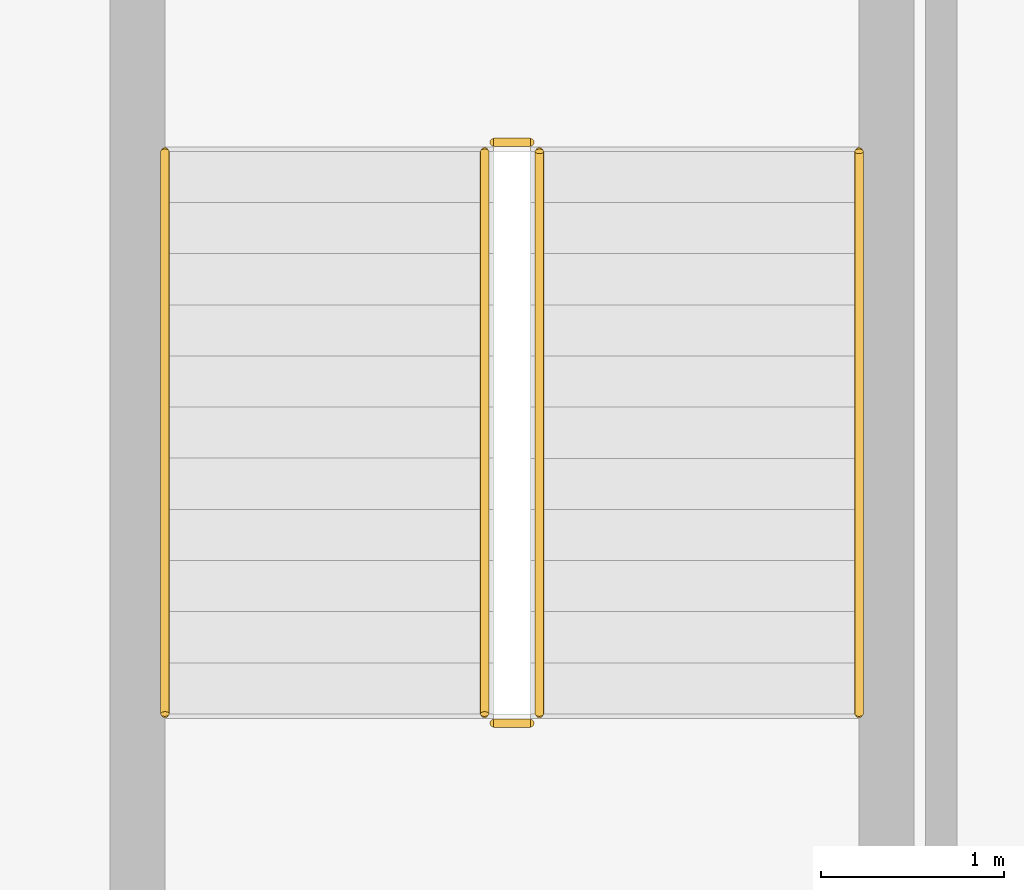
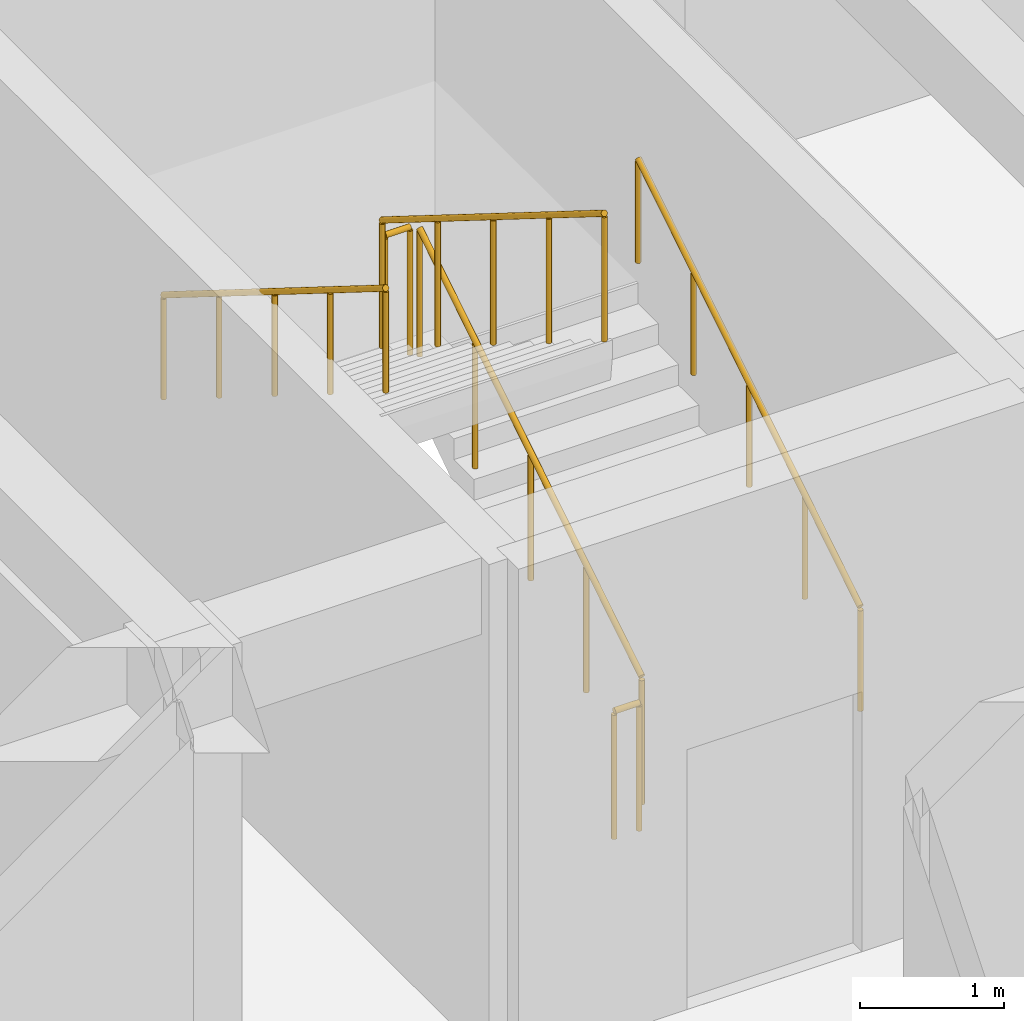
# One storey, part 77 of 77: 6 railings.
"""IFC4 building model written with IfcOpenShell, lengths in metres."""

from ifc_helpers import new_model, si_unit, direction, frame, origin, origin_2d, place, context, subcontext, project, spatial, circle, extrude, material, type_object, element, save


model = new_model("IFC4")

# Units and contexts
model_context = context("Model", 3, precision=1e-05, world=origin(), true_north=direction((0.0, 1.0)))
body_context = subcontext(model_context, "Body", "Model", "MODEL_VIEW")
ifc_project = project(units=[si_unit("LENGTHUNIT", "METRE"), si_unit("AREAUNIT", "SQUARE_METRE"), si_unit("VOLUMEUNIT", "CUBIC_METRE"), si_unit("PLANEANGLEUNIT", "RADIAN"), si_unit("MASSUNIT", "GRAM", prefix="KILO")], contexts=[model_context])

# Site, building, storey
site_placement = place(None, origin())
site = spatial("IfcSite", under=ifc_project, at=site_placement, CompositionType="ELEMENT")
building_placement = place(site_placement, origin())
building = spatial("IfcBuilding", under=site, at=building_placement, Name="Varncliffe General Hospital", CompositionType="ELEMENT")
storey_placement = place(building_placement, frame((0.0, 0.0, 16.199951171875)))
storey = spatial("IfcBuildingStorey", under=building, at=storey_placement, Name="L03", CompositionType="ELEMENT", Elevation=16.199951171875)

# Railings
ifc_material = material(Name="Powder-coated hospital steel guardrail and handrail", Category="steel")
railing_type_1 = type_object("IfcRailingType", Name="Stair and Ramp Handrail HR46", PredefinedType="HANDRAIL", material=ifc_material)
railing_1_placement = place(storey_placement, frame((165.949951171875, 118.0, 0.35400390625)))
element("IfcRailing", 1, at=railing_1_placement, inside=storey, type_object=railing_type_1, Name="L03 ST04 stair handrail 1", PredefinedType="HANDRAIL", context=body_context, shape_type="SweptSolid", body=[
    extrude(circle(Radius=0.02392578125, at=origin_2d()), frame((0.0, 0.0, 0.8759765625), z_axis=(0.0, 0.847998304005, 0.529998940003), x_axis=(-1.0, 0.0, 0.0)), (0.0, 0.0, 1.0), 3.632080078125),
    extrude(circle(Radius=0.02099609375, at=origin_2d()), origin(), (0.0, 0.0, 1.0), 0.851806640625),
    extrude(circle(Radius=0.02099609375, at=origin_2d()), frame((0.0, 0.77001953125, 0.481201171875)), (0.0, 0.0, 1.0), 0.851806640625),
    extrude(circle(Radius=0.02099609375, at=origin_2d()), frame((0.0, 1.5400390625, 0.96240234375)), (0.0, 0.0, 1.0), 0.851806640625),
    extrude(circle(Radius=0.02099609375, at=origin_2d()), frame((0.0, 2.31005859375, 1.44384765625)), (0.0, 0.0, 1.0), 0.851806640625),
    extrude(circle(Radius=0.02099609375, at=origin_2d()), frame((0.0, 3.080078125, 1.925048828125)), (0.0, 0.0, 1.0), 0.851806640625),
])
railing_2_placement = place(storey_placement, frame((162.14990234375, 121.080078125, 2.4541015625)))
element("IfcRailing", 2, at=railing_2_placement, inside=storey, type_object=railing_type_1, Name="L03 ST04 stair handrail 2", PredefinedType="HANDRAIL", context=body_context, shape_type="SweptSolid", body=[
    extrude(circle(Radius=0.02392578125, at=origin_2d()), frame((0.0, 0.0, 0.8759765625), z_axis=(0.0, -0.847998304005, 0.529998940003), x_axis=(1.0, 0.0, 0.0)), (0.0, 0.0, 1.0), 3.632080078125),
    extrude(circle(Radius=0.02099609375, at=origin_2d()), origin(), (0.0, 0.0, 1.0), 0.851806640625),
    extrude(circle(Radius=0.02099609375, at=origin_2d()), frame((0.0, -0.77001953125, 0.481201171875)), (0.0, 0.0, 1.0), 0.851806640625),
    extrude(circle(Radius=0.02099609375, at=origin_2d()), frame((0.0, -1.5400390625, 0.96240234375)), (0.0, 0.0, 1.0), 0.851806640625),
    extrude(circle(Radius=0.02099609375, at=origin_2d()), frame((0.0, -2.31005859375, 1.44384765625)), (0.0, 0.0, 1.0), 0.851806640625),
    extrude(circle(Radius=0.02099609375, at=origin_2d()), frame((0.0, -3.080078125, 1.925048828125)), (0.0, 0.0, 1.0), 0.851806640625),
])
railing_type_2 = type_object("IfcRailingType", Name="Stairwell Guardrail SG49", PredefinedType="GUARDRAIL", material=ifc_material)
railing_3_placement = place(storey_placement, frame((164.199951171875, 118.0, 0.175048828125)))
element("IfcRailing", 3, at=railing_3_placement, inside=storey, type_object=railing_type_2, Name="L03 ST04 stair guard 1", PredefinedType="GUARDRAIL", context=body_context, shape_type="SweptSolid", body=[
    extrude(circle(Radius=0.02392578125, at=origin_2d()), frame((0.0, 0.0, 1.076171875), z_axis=(0.0, 0.847998304005, 0.529998940003), x_axis=(-1.0, 0.0, 0.0)), (0.0, 0.0, 1.0), 3.632080078125),
    extrude(circle(Radius=0.02099609375, at=origin_2d()), origin(), (0.0, 0.0, 1.0), 1.052001953125),
    extrude(circle(Radius=0.02099609375, at=origin_2d()), frame((0.0, 0.77001953125, 0.481201171875)), (0.0, 0.0, 1.0), 1.052001953125),
    extrude(circle(Radius=0.02099609375, at=origin_2d()), frame((0.0, 1.5400390625, 0.96240234375)), (0.0, 0.0, 1.0), 1.052001953125),
    extrude(circle(Radius=0.02099609375, at=origin_2d()), frame((0.0, 2.31005859375, 1.44384765625)), (0.0, 0.0, 1.0), 1.052001953125),
    extrude(circle(Radius=0.02099609375, at=origin_2d()), frame((0.0, 3.080078125, 1.925048828125)), (0.0, 0.0, 1.0), 1.052001953125),
])
railing_4_placement = place(storey_placement, frame((164.14990234375, 121.1298828125, 2.10009765625)))
element("IfcRailing", 4, at=railing_4_placement, inside=storey, type_object=railing_type_2, Name="L03 ST04 stair guard 2", PredefinedType="GUARDRAIL", context=body_context, shape_type="SweptSolid", body=[
    extrude(circle(Radius=0.02392578125, at=origin_2d()), frame((0.0, 0.0, 1.076171875), z_axis=(-1.0, 0.0, 0.0), x_axis=(0.0, -1.0, 0.0)), (0.0, 0.0, 1.0), 0.199951171875),
    extrude(circle(Radius=0.02099609375, at=origin_2d()), origin(), (0.0, 0.0, 1.0), 1.052001953125),
    extrude(circle(Radius=0.02099609375, at=origin_2d()), frame((-0.199951171875, 0.0, 0.0)), (0.0, 0.0, 1.0), 1.052001953125),
])
railing_5_placement = place(storey_placement, frame((163.89990234375, 121.080078125, 2.275146484375)))
element("IfcRailing", 5, at=railing_5_placement, inside=storey, type_object=railing_type_2, Name="L03 ST04 stair guard 3", PredefinedType="GUARDRAIL", context=body_context, shape_type="SweptSolid", body=[
    extrude(circle(Radius=0.02392578125, at=origin_2d()), frame((0.0, 0.0, 1.076171875), z_axis=(0.0, -0.848028513186, 0.529950602248), x_axis=(1.0, 0.0, 0.0)), (0.0, 0.0, 1.0), 3.632080078125),
    extrude(circle(Radius=0.02099609375, at=origin_2d()), origin(), (0.0, 0.0, 1.0), 1.052001953125),
    extrude(circle(Radius=0.02099609375, at=origin_2d()), frame((0.0, -0.77001953125, 0.481201171875)), (0.0, 0.0, 1.0), 1.052001953125),
    extrude(circle(Radius=0.02099609375, at=origin_2d()), frame((0.0, -1.5400390625, 0.96240234375)), (0.0, 0.0, 1.0), 1.052001953125),
    extrude(circle(Radius=0.02099609375, at=origin_2d()), frame((0.0, -2.31005859375, 1.443603515625)), (0.0, 0.0, 1.0), 1.052001953125),
    extrude(circle(Radius=0.02099609375, at=origin_2d()), frame((0.0, -3.080078125, 1.9248046875)), (0.0, 0.0, 1.0), 1.052001953125),
])
railing_6_placement = place(storey_placement, frame((164.14990234375, 117.949951171875, 0.0)))
element("IfcRailing", 6, at=railing_6_placement, inside=storey, type_object=railing_type_2, Name="L03 ST04 stair guard 4", PredefinedType="GUARDRAIL", context=body_context, shape_type="SweptSolid", body=[
    extrude(circle(Radius=0.02392578125, at=origin_2d()), frame((0.0, 0.0, 1.076171875), z_axis=(-1.0, 0.0, 0.0), x_axis=(0.0, -1.0, 0.0)), (0.0, 0.0, 1.0), 0.199951171875),
    extrude(circle(Radius=0.02099609375, at=origin_2d()), origin(), (0.0, 0.0, 1.0), 1.052001953125),
    extrude(circle(Radius=0.02099609375, at=origin_2d()), frame((-0.199951171875, 0.0, 0.0)), (0.0, 0.0, 1.0), 1.052001953125),
])

save(model, "model.ifc")
